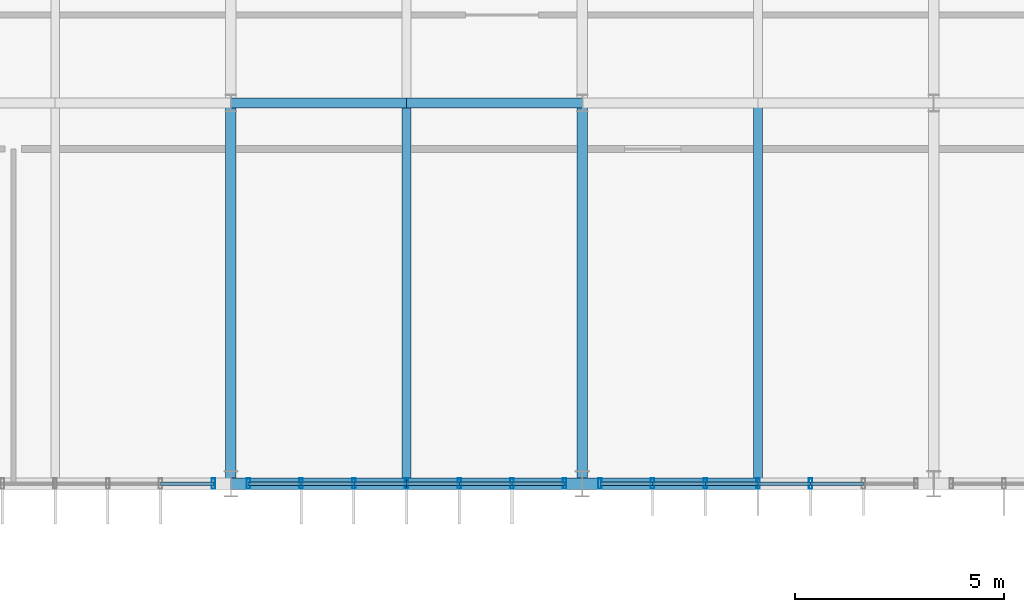
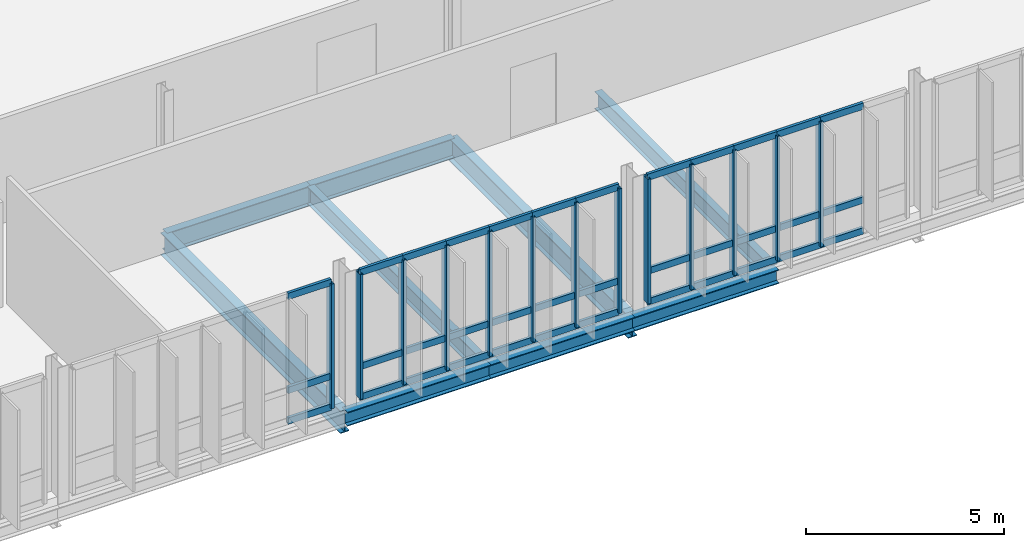
# One storey, part 37 of 107: 49 members, 9 beams, 3 elements without a shape of their own.
"""IFC4 building model written with IfcOpenShell, lengths in metres."""

from ifc_helpers import new_model, si_unit, derived_unit, direction, frame, origin, origin_2d, place, context, subcontext, project, spatial, hollow_rectangle, i_section, extrude, material, layer, layer_set, material_profile, profile_set, type_object, element, aggregate, save


model = new_model("IFC4")

# Units and contexts
model_context = context("Model", 3, precision=1e-05, world=origin(), true_north=direction((0.0, 1.0)))
body_context = subcontext(model_context, "Body", "Model", "MODEL_VIEW")
ifc_project = project(units=[si_unit("LENGTHUNIT", "METRE"), si_unit("AREAUNIT", "SQUARE_METRE"), si_unit("VOLUMEUNIT", "CUBIC_METRE"), si_unit("PLANEANGLEUNIT", "RADIAN"), si_unit("MASSUNIT", "GRAM", prefix="KILO"), derived_unit("THERMALTRANSMITTANCEUNIT", [(si_unit("MASSUNIT", "GRAM", prefix="KILO"), 1), (si_unit("TIMEUNIT", "SECOND"), -3), (si_unit("THERMODYNAMICTEMPERATUREUNIT", "KELVIN"), -1)])], contexts=[model_context])

# Site, building, storey
site_placement = place(None, origin())
site = spatial("IfcSite", under=ifc_project, at=site_placement, CompositionType="ELEMENT")
building_placement = place(site_placement, origin())
building = spatial("IfcBuilding", under=site, at=building_placement, Name="Makaiwela Harbour Ferry Terminal", CompositionType="ELEMENT")
storey_placement = place(building_placement, frame((0.0, 0.0, 9.60009765625)))
storey = spatial("IfcBuildingStorey", under=building, at=storey_placement, Name="L02", CompositionType="ELEMENT", Elevation=9.60009765625)

# Curtain wall, member
ifc_material_1 = material(Name="Marine anodised aluminium 6063-T6", Category="aluminium")
ifc_layer = layer(ifc_material_1, 0.199951171875)
ifc_layer_set = layer_set([ifc_layer], Name="Marine anodised aluminium 6063-T6")
curtain_wall_type = type_object("IfcCurtainWallType", Name="ENV-CW-09", PredefinedType="USERDEFINED", material=ifc_layer_set)
curtain_wall_1_placement = place(storey_placement, origin())
curtain_wall_1 = element("IfcCurtainWall", 1, at=curtain_wall_1_placement, inside=storey, type_object=curtain_wall_type, Name="Unitised Curtain Wall CWA-086", ObjectType="UNITIZED CURTAIN WALL", PredefinedType="USERDEFINED")
ifc_material_profile_1 = material_profile(ifc_material_1, hollow_rectangle(XDim=0.0849609375, YDim=0.25, WallThickness=0.0048828125, at=origin_2d()), Name="CWM-250X85")
ifc_profile_set_1 = profile_set([ifc_material_profile_1], Name="Marine anodised aluminium 6063-T6")
member_type_1 = type_object("IfcMemberType", Name="CW-MUL-250", PredefinedType="MULLION", material=ifc_profile_set_1)
member_1_placement = place(storey_placement, frame((112.97998046875, 49.39990234375, 0.0), z_axis=(0.0, 0.0, 1.0), x_axis=(1.0, 0.0, 0.0)))
member_1 = element("IfcMember", 2, at=member_1_placement, type_object=member_type_1, Name="Curtain Wall Mullion CWA-086-1", PredefinedType="MULLION", context=body_context, shape_type="SweptSolid", body=[
    extrude(hollow_rectangle(XDim=0.0849609375, YDim=0.25, WallThickness=0.0048828125, at=origin_2d()), origin(), (0.0, 0.0, 1.0), 3.849853515625),
])

# Curtain wall, members
curtain_wall_2_placement = place(storey_placement, origin())
curtain_wall_2 = element("IfcCurtainWall", 3, at=curtain_wall_2_placement, inside=storey, type_object=curtain_wall_type, Name="Unitised Curtain Wall CWA-089", ObjectType="UNITIZED CURTAIN WALL", PredefinedType="USERDEFINED")
member_2_placement = place(storey_placement, frame((121.3798828125, 49.39990234375, 0.0), z_axis=(0.0, 0.0, 1.0), x_axis=(1.0, 0.0, 0.0)))
member_2 = element("IfcMember", 4, at=member_2_placement, type_object=member_type_1, Name="Curtain Wall Mullion CWA-089-1", PredefinedType="MULLION", context=body_context, shape_type="SweptSolid", body=[
    extrude(hollow_rectangle(XDim=0.0849609375, YDim=0.25, WallThickness=0.0048828125, at=origin_2d()), origin(), (0.0, 0.0, 1.0), 3.849853515625),
])
member_3_placement = place(storey_placement, frame((120.1201171875, 49.39990234375, 0.0), z_axis=(0.0, 0.0, 1.0), x_axis=(1.0, 0.0, 0.0)))
member_3 = element("IfcMember", 5, at=member_3_placement, type_object=member_type_1, Name="Curtain Wall Mullion CWA-089-2", PredefinedType="MULLION", context=body_context, shape_type="SweptSolid", body=[
    extrude(hollow_rectangle(XDim=0.0849609375, YDim=0.25, WallThickness=0.0048828125, at=origin_2d()), origin(), (0.0, 0.0, 1.0), 3.849853515625),
])
member_4_placement = place(storey_placement, frame((118.860107421875, 49.39990234375, 0.0), z_axis=(0.0, 0.0, 1.0), x_axis=(1.0, 0.0, 0.0)))
member_4 = element("IfcMember", 6, at=member_4_placement, type_object=member_type_1, Name="Curtain Wall Mullion CWA-089-3", PredefinedType="MULLION", context=body_context, shape_type="SweptSolid", body=[
    extrude(hollow_rectangle(XDim=0.0849609375, YDim=0.25, WallThickness=0.0048828125, at=origin_2d()), origin(), (0.0, 0.0, 1.0), 3.849853515625),
])
member_5_placement = place(storey_placement, frame((117.60009765625, 49.39990234375, 0.0), z_axis=(0.0, 0.0, 1.0), x_axis=(1.0, 0.0, 0.0)))
member_5 = element("IfcMember", 7, at=member_5_placement, type_object=member_type_1, Name="Curtain Wall Mullion CWA-089-4", PredefinedType="MULLION", context=body_context, shape_type="SweptSolid", body=[
    extrude(hollow_rectangle(XDim=0.0849609375, YDim=0.25, WallThickness=0.0048828125, at=origin_2d()), origin(), (0.0, 0.0, 1.0), 3.849853515625),
])
member_6_placement = place(storey_placement, frame((116.340087890625, 49.39990234375, 0.0), z_axis=(0.0, 0.0, 1.0), x_axis=(1.0, 0.0, 0.0)))
member_6 = element("IfcMember", 8, at=member_6_placement, type_object=member_type_1, Name="Curtain Wall Mullion CWA-089-5", PredefinedType="MULLION", context=body_context, shape_type="SweptSolid", body=[
    extrude(hollow_rectangle(XDim=0.0849609375, YDim=0.25, WallThickness=0.0048828125, at=origin_2d()), origin(), (0.0, 0.0, 1.0), 3.849853515625),
])
member_7_placement = place(storey_placement, frame((115.080078125, 49.39990234375, 0.0), z_axis=(0.0, 0.0, 1.0), x_axis=(1.0, 0.0, 0.0)))
member_7 = element("IfcMember", 9, at=member_7_placement, type_object=member_type_1, Name="Curtain Wall Mullion CWA-089-6", PredefinedType="MULLION", context=body_context, shape_type="SweptSolid", body=[
    extrude(hollow_rectangle(XDim=0.0849609375, YDim=0.25, WallThickness=0.0048828125, at=origin_2d()), origin(), (0.0, 0.0, 1.0), 3.849853515625),
])
member_8_placement = place(storey_placement, frame((113.820068359375, 49.39990234375, 0.0), z_axis=(0.0, 0.0, 1.0), x_axis=(1.0, 0.0, 0.0)))
member_8 = element("IfcMember", 10, at=member_8_placement, type_object=member_type_1, Name="Curtain Wall Mullion CWA-089-7", PredefinedType="MULLION", context=body_context, shape_type="SweptSolid", body=[
    extrude(hollow_rectangle(XDim=0.0849609375, YDim=0.25, WallThickness=0.0048828125, at=origin_2d()), origin(), (0.0, 0.0, 1.0), 3.849853515625),
])

curtain_wall_3_placement = place(storey_placement, origin())
curtain_wall_3 = element("IfcCurtainWall", 11, at=curtain_wall_3_placement, inside=storey, type_object=curtain_wall_type, Name="Unitised Curtain Wall CWA-093", ObjectType="UNITIZED CURTAIN WALL", PredefinedType="USERDEFINED")
member_9_placement = place(storey_placement, frame((127.260009765625, 49.39990234375, 0.0), z_axis=(0.0, 0.0, 1.0), x_axis=(1.0, 0.0, 0.0)))
member_9 = element("IfcMember", 12, at=member_9_placement, type_object=member_type_1, Name="Curtain Wall Mullion CWA-093-3", PredefinedType="MULLION", context=body_context, shape_type="SweptSolid", body=[
    extrude(hollow_rectangle(XDim=0.0849609375, YDim=0.25, WallThickness=0.0048828125, at=origin_2d()), origin(), (0.0, 0.0, 1.0), 3.849853515625),
])
member_10_placement = place(storey_placement, frame((126.0, 49.39990234375, 0.0), z_axis=(0.0, 0.0, 1.0), x_axis=(1.0, 0.0, 0.0)))
member_10 = element("IfcMember", 13, at=member_10_placement, type_object=member_type_1, Name="Curtain Wall Mullion CWA-093-4", PredefinedType="MULLION", context=body_context, shape_type="SweptSolid", body=[
    extrude(hollow_rectangle(XDim=0.0849609375, YDim=0.25, WallThickness=0.0048828125, at=origin_2d()), origin(), (0.0, 0.0, 1.0), 3.849853515625),
])
member_11_placement = place(storey_placement, frame((124.739990234375, 49.39990234375, 0.0), z_axis=(0.0, 0.0, 1.0), x_axis=(1.0, 0.0, 0.0)))
member_11 = element("IfcMember", 14, at=member_11_placement, type_object=member_type_1, Name="Curtain Wall Mullion CWA-093-5", PredefinedType="MULLION", context=body_context, shape_type="SweptSolid", body=[
    extrude(hollow_rectangle(XDim=0.0849609375, YDim=0.25, WallThickness=0.0048828125, at=origin_2d()), origin(), (0.0, 0.0, 1.0), 3.849853515625),
])
member_12_placement = place(storey_placement, frame((123.47998046875, 49.39990234375, 0.0), z_axis=(0.0, 0.0, 1.0), x_axis=(1.0, 0.0, 0.0)))
member_12 = element("IfcMember", 15, at=member_12_placement, type_object=member_type_1, Name="Curtain Wall Mullion CWA-093-6", PredefinedType="MULLION", context=body_context, shape_type="SweptSolid", body=[
    extrude(hollow_rectangle(XDim=0.0849609375, YDim=0.25, WallThickness=0.0048828125, at=origin_2d()), origin(), (0.0, 0.0, 1.0), 3.849853515625),
])
member_13_placement = place(storey_placement, frame((122.219970703125, 49.39990234375, 0.0), z_axis=(0.0, 0.0, 1.0), x_axis=(1.0, 0.0, 0.0)))
member_13 = element("IfcMember", 16, at=member_13_placement, type_object=member_type_1, Name="Curtain Wall Mullion CWA-093-7", PredefinedType="MULLION", context=body_context, shape_type="SweptSolid", body=[
    extrude(hollow_rectangle(XDim=0.0849609375, YDim=0.25, WallThickness=0.0048828125, at=origin_2d()), origin(), (0.0, 0.0, 1.0), 3.849853515625),
])

# Member
ifc_material_profile_2 = material_profile(ifc_material_1, hollow_rectangle(XDim=0.0849609375, YDim=0.199951171875, WallThickness=0.0048828125, at=origin_2d()), Name="CWT-200X85")
ifc_profile_set_2 = profile_set([ifc_material_profile_2], Name="Marine anodised aluminium 6063-T6")
member_type_2 = type_object("IfcMemberType", Name="CW-TRN-200", PredefinedType="USERDEFINED", material=ifc_profile_set_2)
member_14_placement = place(storey_placement, frame((112.97998046875, 49.39990234375, 0.0), z_axis=(-1.0, 0.0, 0.0), x_axis=(0.0, -1.0, 0.0)))
member_14 = element("IfcMember", 17, at=member_14_placement, type_object=member_type_2, Name="Curtain Wall Transom CWA-086-1-1", ObjectType="TRANSOM", PredefinedType="USERDEFINED", context=body_context, shape_type="SweptSolid", body=[
    extrude(hollow_rectangle(XDim=0.0849609375, YDim=0.199951171875, WallThickness=0.0048828125, at=origin_2d()), origin(), (0.0, 0.0, 1.0), 1.260009765625),
])

member_15_placement = place(storey_placement, frame((112.97998046875, 49.39990234375, 0.949951171875), z_axis=(-1.0, 0.0, 0.0), x_axis=(0.0, -1.0, 0.0)))
member_15 = element("IfcMember", 18, at=member_15_placement, type_object=member_type_2, Name="Curtain Wall Transom CWA-086-1-2", ObjectType="TRANSOM", PredefinedType="USERDEFINED", context=body_context, shape_type="SweptSolid", body=[
    extrude(hollow_rectangle(XDim=0.0849609375, YDim=0.199951171875, WallThickness=0.0048828125, at=origin_2d()), origin(), (0.0, 0.0, 1.0), 1.260009765625),
])

member_16_placement = place(storey_placement, frame((112.97998046875, 49.39990234375, 3.849853515625), z_axis=(-1.0, 0.0, 0.0), x_axis=(0.0, -1.0, 0.0)))
member_16 = element("IfcMember", 19, at=member_16_placement, type_object=member_type_2, Name="Curtain Wall Transom CWA-086-1-3", ObjectType="TRANSOM", PredefinedType="USERDEFINED", context=body_context, shape_type="SweptSolid", body=[
    extrude(hollow_rectangle(XDim=0.0849609375, YDim=0.199951171875, WallThickness=0.0048828125, at=origin_2d()), origin(), (0.0, 0.0, 1.0), 1.260009765625),
])

aggregate(curtain_wall_1, [member_1, member_14, member_15, member_16])

member_17_placement = place(storey_placement, frame((121.3798828125, 49.39990234375, 0.0), z_axis=(-1.0, 0.0, 0.0), x_axis=(0.0, -1.0, 0.0)))
member_17 = element("IfcMember", 20, at=member_17_placement, type_object=member_type_2, Name="Curtain Wall Transom CWA-089-1-1", ObjectType="TRANSOM", PredefinedType="USERDEFINED", context=body_context, shape_type="SweptSolid", body=[
    extrude(hollow_rectangle(XDim=0.0849609375, YDim=0.199951171875, WallThickness=0.0048828125, at=origin_2d()), origin(), (0.0, 0.0, 1.0), 1.259765625),
])

member_18_placement = place(storey_placement, frame((121.3798828125, 49.39990234375, 0.949951171875), z_axis=(-1.0, 0.0, 0.0), x_axis=(0.0, -1.0, 0.0)))
member_18 = element("IfcMember", 21, at=member_18_placement, type_object=member_type_2, Name="Curtain Wall Transom CWA-089-1-2", ObjectType="TRANSOM", PredefinedType="USERDEFINED", context=body_context, shape_type="SweptSolid", body=[
    extrude(hollow_rectangle(XDim=0.0849609375, YDim=0.199951171875, WallThickness=0.0048828125, at=origin_2d()), origin(), (0.0, 0.0, 1.0), 1.259765625),
])

member_19_placement = place(storey_placement, frame((121.3798828125, 49.39990234375, 3.849853515625), z_axis=(-1.0, 0.0, 0.0), x_axis=(0.0, -1.0, 0.0)))
member_19 = element("IfcMember", 22, at=member_19_placement, type_object=member_type_2, Name="Curtain Wall Transom CWA-089-1-3", ObjectType="TRANSOM", PredefinedType="USERDEFINED", context=body_context, shape_type="SweptSolid", body=[
    extrude(hollow_rectangle(XDim=0.0849609375, YDim=0.199951171875, WallThickness=0.0048828125, at=origin_2d()), origin(), (0.0, 0.0, 1.0), 1.259765625),
])

member_20_placement = place(storey_placement, frame((120.1201171875, 49.39990234375, 0.0), z_axis=(-1.0, 0.0, 0.0), x_axis=(0.0, -1.0, 0.0)))
member_20 = element("IfcMember", 23, at=member_20_placement, type_object=member_type_2, Name="Curtain Wall Transom CWA-089-2-1", ObjectType="TRANSOM", PredefinedType="USERDEFINED", context=body_context, shape_type="SweptSolid", body=[
    extrude(hollow_rectangle(XDim=0.0849609375, YDim=0.199951171875, WallThickness=0.0048828125, at=origin_2d()), origin(), (0.0, 0.0, 1.0), 1.260009765625),
])

member_21_placement = place(storey_placement, frame((120.1201171875, 49.39990234375, 0.949951171875), z_axis=(-1.0, 0.0, 0.0), x_axis=(0.0, -1.0, 0.0)))
member_21 = element("IfcMember", 24, at=member_21_placement, type_object=member_type_2, Name="Curtain Wall Transom CWA-089-2-2", ObjectType="TRANSOM", PredefinedType="USERDEFINED", context=body_context, shape_type="SweptSolid", body=[
    extrude(hollow_rectangle(XDim=0.0849609375, YDim=0.199951171875, WallThickness=0.0048828125, at=origin_2d()), origin(), (0.0, 0.0, 1.0), 1.260009765625),
])

member_22_placement = place(storey_placement, frame((120.1201171875, 49.39990234375, 3.849853515625), z_axis=(-1.0, 0.0, 0.0), x_axis=(0.0, -1.0, 0.0)))
member_22 = element("IfcMember", 25, at=member_22_placement, type_object=member_type_2, Name="Curtain Wall Transom CWA-089-2-3", ObjectType="TRANSOM", PredefinedType="USERDEFINED", context=body_context, shape_type="SweptSolid", body=[
    extrude(hollow_rectangle(XDim=0.0849609375, YDim=0.199951171875, WallThickness=0.0048828125, at=origin_2d()), origin(), (0.0, 0.0, 1.0), 1.260009765625),
])

member_23_placement = place(storey_placement, frame((118.860107421875, 49.39990234375, 0.0), z_axis=(-1.0, 0.0, 0.0), x_axis=(0.0, -1.0, 0.0)))
member_23 = element("IfcMember", 26, at=member_23_placement, type_object=member_type_2, Name="Curtain Wall Transom CWA-089-3-1", ObjectType="TRANSOM", PredefinedType="USERDEFINED", context=body_context, shape_type="SweptSolid", body=[
    extrude(hollow_rectangle(XDim=0.0849609375, YDim=0.199951171875, WallThickness=0.0048828125, at=origin_2d()), origin(), (0.0, 0.0, 1.0), 1.260009765625),
])

member_24_placement = place(storey_placement, frame((118.860107421875, 49.39990234375, 0.949951171875), z_axis=(-1.0, 0.0, 0.0), x_axis=(0.0, -1.0, 0.0)))
member_24 = element("IfcMember", 27, at=member_24_placement, type_object=member_type_2, Name="Curtain Wall Transom CWA-089-3-2", ObjectType="TRANSOM", PredefinedType="USERDEFINED", context=body_context, shape_type="SweptSolid", body=[
    extrude(hollow_rectangle(XDim=0.0849609375, YDim=0.199951171875, WallThickness=0.0048828125, at=origin_2d()), origin(), (0.0, 0.0, 1.0), 1.260009765625),
])

member_25_placement = place(storey_placement, frame((118.860107421875, 49.39990234375, 3.849853515625), z_axis=(-1.0, 0.0, 0.0), x_axis=(0.0, -1.0, 0.0)))
member_25 = element("IfcMember", 28, at=member_25_placement, type_object=member_type_2, Name="Curtain Wall Transom CWA-089-3-3", ObjectType="TRANSOM", PredefinedType="USERDEFINED", context=body_context, shape_type="SweptSolid", body=[
    extrude(hollow_rectangle(XDim=0.0849609375, YDim=0.199951171875, WallThickness=0.0048828125, at=origin_2d()), origin(), (0.0, 0.0, 1.0), 1.260009765625),
])

member_26_placement = place(storey_placement, frame((117.60009765625, 49.39990234375, 0.0), z_axis=(-1.0, 0.0, 0.0), x_axis=(0.0, -1.0, 0.0)))
member_26 = element("IfcMember", 29, at=member_26_placement, type_object=member_type_2, Name="Curtain Wall Transom CWA-089-4-1", ObjectType="TRANSOM", PredefinedType="USERDEFINED", context=body_context, shape_type="SweptSolid", body=[
    extrude(hollow_rectangle(XDim=0.0849609375, YDim=0.199951171875, WallThickness=0.0048828125, at=origin_2d()), origin(), (0.0, 0.0, 1.0), 1.260009765625),
])

member_27_placement = place(storey_placement, frame((117.60009765625, 49.39990234375, 0.949951171875), z_axis=(-1.0, 0.0, 0.0), x_axis=(0.0, -1.0, 0.0)))
member_27 = element("IfcMember", 30, at=member_27_placement, type_object=member_type_2, Name="Curtain Wall Transom CWA-089-4-2", ObjectType="TRANSOM", PredefinedType="USERDEFINED", context=body_context, shape_type="SweptSolid", body=[
    extrude(hollow_rectangle(XDim=0.0849609375, YDim=0.199951171875, WallThickness=0.0048828125, at=origin_2d()), origin(), (0.0, 0.0, 1.0), 1.260009765625),
])

member_28_placement = place(storey_placement, frame((117.60009765625, 49.39990234375, 3.849853515625), z_axis=(-1.0, 0.0, 0.0), x_axis=(0.0, -1.0, 0.0)))
member_28 = element("IfcMember", 31, at=member_28_placement, type_object=member_type_2, Name="Curtain Wall Transom CWA-089-4-3", ObjectType="TRANSOM", PredefinedType="USERDEFINED", context=body_context, shape_type="SweptSolid", body=[
    extrude(hollow_rectangle(XDim=0.0849609375, YDim=0.199951171875, WallThickness=0.0048828125, at=origin_2d()), origin(), (0.0, 0.0, 1.0), 1.260009765625),
])

member_29_placement = place(storey_placement, frame((116.340087890625, 49.39990234375, 0.0), z_axis=(-1.0, 0.0, 0.0), x_axis=(0.0, -1.0, 0.0)))
member_29 = element("IfcMember", 32, at=member_29_placement, type_object=member_type_2, Name="Curtain Wall Transom CWA-089-5-1", ObjectType="TRANSOM", PredefinedType="USERDEFINED", context=body_context, shape_type="SweptSolid", body=[
    extrude(hollow_rectangle(XDim=0.0849609375, YDim=0.199951171875, WallThickness=0.0048828125, at=origin_2d()), origin(), (0.0, 0.0, 1.0), 1.260009765625),
])

member_30_placement = place(storey_placement, frame((116.340087890625, 49.39990234375, 0.949951171875), z_axis=(-1.0, 0.0, 0.0), x_axis=(0.0, -1.0, 0.0)))
member_30 = element("IfcMember", 33, at=member_30_placement, type_object=member_type_2, Name="Curtain Wall Transom CWA-089-5-2", ObjectType="TRANSOM", PredefinedType="USERDEFINED", context=body_context, shape_type="SweptSolid", body=[
    extrude(hollow_rectangle(XDim=0.0849609375, YDim=0.199951171875, WallThickness=0.0048828125, at=origin_2d()), origin(), (0.0, 0.0, 1.0), 1.260009765625),
])

member_31_placement = place(storey_placement, frame((116.340087890625, 49.39990234375, 3.849853515625), z_axis=(-1.0, 0.0, 0.0), x_axis=(0.0, -1.0, 0.0)))
member_31 = element("IfcMember", 34, at=member_31_placement, type_object=member_type_2, Name="Curtain Wall Transom CWA-089-5-3", ObjectType="TRANSOM", PredefinedType="USERDEFINED", context=body_context, shape_type="SweptSolid", body=[
    extrude(hollow_rectangle(XDim=0.0849609375, YDim=0.199951171875, WallThickness=0.0048828125, at=origin_2d()), origin(), (0.0, 0.0, 1.0), 1.260009765625),
])

member_32_placement = place(storey_placement, frame((115.080078125, 49.39990234375, 0.0), z_axis=(-1.0, 0.0, 0.0), x_axis=(0.0, -1.0, 0.0)))
member_32 = element("IfcMember", 35, at=member_32_placement, type_object=member_type_2, Name="Curtain Wall Transom CWA-089-6-1", ObjectType="TRANSOM", PredefinedType="USERDEFINED", context=body_context, shape_type="SweptSolid", body=[
    extrude(hollow_rectangle(XDim=0.0849609375, YDim=0.199951171875, WallThickness=0.0048828125, at=origin_2d()), origin(), (0.0, 0.0, 1.0), 1.260009765625),
])

member_33_placement = place(storey_placement, frame((115.080078125, 49.39990234375, 0.949951171875), z_axis=(-1.0, 0.0, 0.0), x_axis=(0.0, -1.0, 0.0)))
member_33 = element("IfcMember", 36, at=member_33_placement, type_object=member_type_2, Name="Curtain Wall Transom CWA-089-6-2", ObjectType="TRANSOM", PredefinedType="USERDEFINED", context=body_context, shape_type="SweptSolid", body=[
    extrude(hollow_rectangle(XDim=0.0849609375, YDim=0.199951171875, WallThickness=0.0048828125, at=origin_2d()), origin(), (0.0, 0.0, 1.0), 1.260009765625),
])

member_34_placement = place(storey_placement, frame((115.080078125, 49.39990234375, 3.849853515625), z_axis=(-1.0, 0.0, 0.0), x_axis=(0.0, -1.0, 0.0)))
member_34 = element("IfcMember", 37, at=member_34_placement, type_object=member_type_2, Name="Curtain Wall Transom CWA-089-6-3", ObjectType="TRANSOM", PredefinedType="USERDEFINED", context=body_context, shape_type="SweptSolid", body=[
    extrude(hollow_rectangle(XDim=0.0849609375, YDim=0.199951171875, WallThickness=0.0048828125, at=origin_2d()), origin(), (0.0, 0.0, 1.0), 1.260009765625),
])

aggregate(curtain_wall_2, [member_2, member_3, member_4, member_5, member_6, member_7, member_8, member_17, member_18, member_19, member_20, member_21, member_22, member_23, member_24, member_25, member_26, member_27, member_28, member_29, member_30, member_31, member_32, member_33, member_34])

member_35_placement = place(storey_placement, frame((128.52001953125, 49.39990234375, 0.0), z_axis=(-1.0, 0.0, 0.0), x_axis=(0.0, -1.0, 0.0)))
member_35 = element("IfcMember", 38, at=member_35_placement, type_object=member_type_2, Name="Curtain Wall Transom CWA-093-2-1", ObjectType="TRANSOM", PredefinedType="USERDEFINED", context=body_context, shape_type="SweptSolid", body=[
    extrude(hollow_rectangle(XDim=0.0849609375, YDim=0.199951171875, WallThickness=0.0048828125, at=origin_2d()), origin(), (0.0, 0.0, 1.0), 1.260009765625),
])

member_36_placement = place(storey_placement, frame((128.52001953125, 49.39990234375, 0.949951171875), z_axis=(-1.0, 0.0, 0.0), x_axis=(0.0, -1.0, 0.0)))
member_36 = element("IfcMember", 39, at=member_36_placement, type_object=member_type_2, Name="Curtain Wall Transom CWA-093-2-2", ObjectType="TRANSOM", PredefinedType="USERDEFINED", context=body_context, shape_type="SweptSolid", body=[
    extrude(hollow_rectangle(XDim=0.0849609375, YDim=0.199951171875, WallThickness=0.0048828125, at=origin_2d()), origin(), (0.0, 0.0, 1.0), 1.260009765625),
])

member_37_placement = place(storey_placement, frame((128.52001953125, 49.39990234375, 3.849853515625), z_axis=(-1.0, 0.0, 0.0), x_axis=(0.0, -1.0, 0.0)))
member_37 = element("IfcMember", 40, at=member_37_placement, type_object=member_type_2, Name="Curtain Wall Transom CWA-093-2-3", ObjectType="TRANSOM", PredefinedType="USERDEFINED", context=body_context, shape_type="SweptSolid", body=[
    extrude(hollow_rectangle(XDim=0.0849609375, YDim=0.199951171875, WallThickness=0.0048828125, at=origin_2d()), origin(), (0.0, 0.0, 1.0), 1.260009765625),
])

member_38_placement = place(storey_placement, frame((127.260009765625, 49.39990234375, 0.0), z_axis=(-1.0, 0.0, 0.0), x_axis=(0.0, -1.0, 0.0)))
member_38 = element("IfcMember", 41, at=member_38_placement, type_object=member_type_2, Name="Curtain Wall Transom CWA-093-3-1", ObjectType="TRANSOM", PredefinedType="USERDEFINED", context=body_context, shape_type="SweptSolid", body=[
    extrude(hollow_rectangle(XDim=0.0849609375, YDim=0.199951171875, WallThickness=0.0048828125, at=origin_2d()), origin(), (0.0, 0.0, 1.0), 1.260009765625),
])

member_39_placement = place(storey_placement, frame((127.260009765625, 49.39990234375, 0.949951171875), z_axis=(-1.0, 0.0, 0.0), x_axis=(0.0, -1.0, 0.0)))
member_39 = element("IfcMember", 42, at=member_39_placement, type_object=member_type_2, Name="Curtain Wall Transom CWA-093-3-2", ObjectType="TRANSOM", PredefinedType="USERDEFINED", context=body_context, shape_type="SweptSolid", body=[
    extrude(hollow_rectangle(XDim=0.0849609375, YDim=0.199951171875, WallThickness=0.0048828125, at=origin_2d()), origin(), (0.0, 0.0, 1.0), 1.260009765625),
])

member_40_placement = place(storey_placement, frame((127.260009765625, 49.39990234375, 3.849853515625), z_axis=(-1.0, 0.0, 0.0), x_axis=(0.0, -1.0, 0.0)))
member_40 = element("IfcMember", 43, at=member_40_placement, type_object=member_type_2, Name="Curtain Wall Transom CWA-093-3-3", ObjectType="TRANSOM", PredefinedType="USERDEFINED", context=body_context, shape_type="SweptSolid", body=[
    extrude(hollow_rectangle(XDim=0.0849609375, YDim=0.199951171875, WallThickness=0.0048828125, at=origin_2d()), origin(), (0.0, 0.0, 1.0), 1.260009765625),
])

member_41_placement = place(storey_placement, frame((126.0, 49.39990234375, 0.0), z_axis=(-1.0, 0.0, 0.0), x_axis=(0.0, -1.0, 0.0)))
member_41 = element("IfcMember", 44, at=member_41_placement, type_object=member_type_2, Name="Curtain Wall Transom CWA-093-4-1", ObjectType="TRANSOM", PredefinedType="USERDEFINED", context=body_context, shape_type="SweptSolid", body=[
    extrude(hollow_rectangle(XDim=0.0849609375, YDim=0.199951171875, WallThickness=0.0048828125, at=origin_2d()), origin(), (0.0, 0.0, 1.0), 1.260009765625),
])

member_42_placement = place(storey_placement, frame((126.0, 49.39990234375, 0.949951171875), z_axis=(-1.0, 0.0, 0.0), x_axis=(0.0, -1.0, 0.0)))
member_42 = element("IfcMember", 45, at=member_42_placement, type_object=member_type_2, Name="Curtain Wall Transom CWA-093-4-2", ObjectType="TRANSOM", PredefinedType="USERDEFINED", context=body_context, shape_type="SweptSolid", body=[
    extrude(hollow_rectangle(XDim=0.0849609375, YDim=0.199951171875, WallThickness=0.0048828125, at=origin_2d()), origin(), (0.0, 0.0, 1.0), 1.260009765625),
])

member_43_placement = place(storey_placement, frame((126.0, 49.39990234375, 3.849853515625), z_axis=(-1.0, 0.0, 0.0), x_axis=(0.0, -1.0, 0.0)))
member_43 = element("IfcMember", 46, at=member_43_placement, type_object=member_type_2, Name="Curtain Wall Transom CWA-093-4-3", ObjectType="TRANSOM", PredefinedType="USERDEFINED", context=body_context, shape_type="SweptSolid", body=[
    extrude(hollow_rectangle(XDim=0.0849609375, YDim=0.199951171875, WallThickness=0.0048828125, at=origin_2d()), origin(), (0.0, 0.0, 1.0), 1.260009765625),
])

member_44_placement = place(storey_placement, frame((124.739990234375, 49.39990234375, 0.0), z_axis=(-1.0, 0.0, 0.0), x_axis=(0.0, -1.0, 0.0)))
member_44 = element("IfcMember", 47, at=member_44_placement, type_object=member_type_2, Name="Curtain Wall Transom CWA-093-5-1", ObjectType="TRANSOM", PredefinedType="USERDEFINED", context=body_context, shape_type="SweptSolid", body=[
    extrude(hollow_rectangle(XDim=0.0849609375, YDim=0.199951171875, WallThickness=0.0048828125, at=origin_2d()), origin(), (0.0, 0.0, 1.0), 1.260009765625),
])

member_45_placement = place(storey_placement, frame((124.739990234375, 49.39990234375, 0.949951171875), z_axis=(-1.0, 0.0, 0.0), x_axis=(0.0, -1.0, 0.0)))
member_45 = element("IfcMember", 48, at=member_45_placement, type_object=member_type_2, Name="Curtain Wall Transom CWA-093-5-2", ObjectType="TRANSOM", PredefinedType="USERDEFINED", context=body_context, shape_type="SweptSolid", body=[
    extrude(hollow_rectangle(XDim=0.0849609375, YDim=0.199951171875, WallThickness=0.0048828125, at=origin_2d()), origin(), (0.0, 0.0, 1.0), 1.260009765625),
])

member_46_placement = place(storey_placement, frame((124.739990234375, 49.39990234375, 3.849853515625), z_axis=(-1.0, 0.0, 0.0), x_axis=(0.0, -1.0, 0.0)))
member_46 = element("IfcMember", 49, at=member_46_placement, type_object=member_type_2, Name="Curtain Wall Transom CWA-093-5-3", ObjectType="TRANSOM", PredefinedType="USERDEFINED", context=body_context, shape_type="SweptSolid", body=[
    extrude(hollow_rectangle(XDim=0.0849609375, YDim=0.199951171875, WallThickness=0.0048828125, at=origin_2d()), origin(), (0.0, 0.0, 1.0), 1.260009765625),
])

member_47_placement = place(storey_placement, frame((123.47998046875, 49.39990234375, 0.0), z_axis=(-1.0, 0.0, 0.0), x_axis=(0.0, -1.0, 0.0)))
member_47 = element("IfcMember", 50, at=member_47_placement, type_object=member_type_2, Name="Curtain Wall Transom CWA-093-6-1", ObjectType="TRANSOM", PredefinedType="USERDEFINED", context=body_context, shape_type="SweptSolid", body=[
    extrude(hollow_rectangle(XDim=0.0849609375, YDim=0.199951171875, WallThickness=0.0048828125, at=origin_2d()), origin(), (0.0, 0.0, 1.0), 1.260009765625),
])

member_48_placement = place(storey_placement, frame((123.47998046875, 49.39990234375, 0.949951171875), z_axis=(-1.0, 0.0, 0.0), x_axis=(0.0, -1.0, 0.0)))
member_48 = element("IfcMember", 51, at=member_48_placement, type_object=member_type_2, Name="Curtain Wall Transom CWA-093-6-2", ObjectType="TRANSOM", PredefinedType="USERDEFINED", context=body_context, shape_type="SweptSolid", body=[
    extrude(hollow_rectangle(XDim=0.0849609375, YDim=0.199951171875, WallThickness=0.0048828125, at=origin_2d()), origin(), (0.0, 0.0, 1.0), 1.260009765625),
])

member_49_placement = place(storey_placement, frame((123.47998046875, 49.39990234375, 3.849853515625), z_axis=(-1.0, 0.0, 0.0), x_axis=(0.0, -1.0, 0.0)))
member_49 = element("IfcMember", 52, at=member_49_placement, type_object=member_type_2, Name="Curtain Wall Transom CWA-093-6-3", ObjectType="TRANSOM", PredefinedType="USERDEFINED", context=body_context, shape_type="SweptSolid", body=[
    extrude(hollow_rectangle(XDim=0.0849609375, YDim=0.199951171875, WallThickness=0.0048828125, at=origin_2d()), origin(), (0.0, 0.0, 1.0), 1.260009765625),
])

aggregate(curtain_wall_3, [member_9, member_10, member_11, member_12, member_13, member_35, member_36, member_37, member_38, member_39, member_40, member_41, member_42, member_43, member_44, member_45, member_46, member_47, member_48, member_49])

# Beams
ifc_material_2 = material(Name="Steel ASTM A992 Grade 50", Category="steel")
ifc_material_profile_3 = material_profile(ifc_material_2, i_section(OverallWidth=0.2099609375, OverallDepth=0.537109375, WebThickness=0.010986328125, FlangeThickness=0.017333984375, at=origin_2d()), Name="W21X68")
ifc_profile_set_3 = profile_set([ifc_material_profile_3], Name="Steel ASTM A992 Grade 50")
beam_type_1 = type_object("IfcBeamType", Name="STR-BM-W21X68", PredefinedType="BEAM", material=ifc_profile_set_3)
for number, where, z_axis, x_axis, name in (
    (53, (117.60009765625, 49.514404296875, -0.528564453125), (0.0, 1.0, 0.0), (-1.0, 0.0, 0.0), "Secondary floor beam 1510"),
    (54, (126.0, 49.514404296875, -0.528564453125), (0.0, 1.0, 0.0), (-1.0, 0.0, 0.0), "Secondary floor beam 1514"),
):
    element("IfcBeam", number, at=place(storey_placement, frame(where, z_axis=z_axis, x_axis=x_axis)), inside=storey, type_object=beam_type_1, Name=name, PredefinedType="BEAM", context=body_context, shape_type="SweptSolid", body=[
        extrude(i_section(OverallWidth=0.2099609375, OverallDepth=0.537109375, WebThickness=0.010986328125, FlangeThickness=0.017333984375, at=origin_2d()), origin(), (0.0, 0.0, 1.0), 8.88916015625),
    ])
ifc_material_profile_4 = material_profile(ifc_material_2, i_section(OverallWidth=0.22900390625, OverallDepth=0.612060546875, WebThickness=0.011962890625, FlangeThickness=0.01953125, at=origin_2d()), Name="W24X84")
ifc_profile_set_4 = profile_set([ifc_material_profile_4], Name="Steel ASTM A992 Grade 50")
beam_type_2 = type_object("IfcBeamType", Name="STR-GRD-W24X84", PredefinedType="USERDEFINED", material=ifc_profile_set_4)
beam_1_placement = place(storey_placement, frame((113.39990234375, 58.5, -0.566162109375), z_axis=(1.0, 0.0, 0.0), x_axis=(0.0, 1.0, 0.0)))
element("IfcBeam", 55, at=beam_1_placement, inside=storey, type_object=beam_type_2, Name="Primary X girder 1301", ObjectType="GIRDER", PredefinedType="USERDEFINED", context=body_context, shape_type="SweptSolid", body=[
    extrude(i_section(OverallWidth=0.22900390625, OverallDepth=0.612060546875, WebThickness=0.011962890625, FlangeThickness=0.01953125, at=origin_2d()), origin(), (0.0, 0.0, 1.0), 4.2001953125),
])
beam_2_placement = place(storey_placement, frame((117.60009765625, 58.5, -0.566162109375), z_axis=(1.0, 0.0, 0.0), x_axis=(0.0, 1.0, 0.0)))
element("IfcBeam", 56, at=beam_2_placement, inside=storey, type_object=beam_type_2, Name="Primary X girder 1302", ObjectType="GIRDER", PredefinedType="USERDEFINED", context=body_context, shape_type="SweptSolid", body=[
    extrude(i_section(OverallWidth=0.22900390625, OverallDepth=0.612060546875, WebThickness=0.011962890625, FlangeThickness=0.01953125, at=origin_2d()), origin(), (0.0, 0.0, 1.0), 4.199951171875),
])
ifc_material_profile_5 = material_profile(ifc_material_2, i_section(OverallWidth=0.256103515625, OverallDepth=0.693115234375, WebThickness=0.014404296875, FlangeThickness=0.023681640625, at=origin_2d()), Name="W27X114")
ifc_profile_set_5 = profile_set([ifc_material_profile_5], Name="Steel ASTM A992 Grade 50")
beam_type_3 = type_object("IfcBeamType", Name="STR-GRD-W27X114", PredefinedType="USERDEFINED", material=ifc_profile_set_5)
for number, where, z_axis, x_axis, name in (
    (57, (113.39990234375, 49.39990234375, -0.606689453125), (0.0, 1.0, 0.0), (-1.0, 0.0, 0.0), "Primary Y girder 1405"),
    (58, (121.800048828125, 49.39990234375, -0.606689453125), (0.0, 1.0, 0.0), (-1.0, 0.0, 0.0), "Primary Y girder 1412"),
):
    element("IfcBeam", number, at=place(storey_placement, frame(where, z_axis=z_axis, x_axis=x_axis)), inside=storey, type_object=beam_type_3, Name=name, ObjectType="GIRDER", PredefinedType="USERDEFINED", context=body_context, shape_type="SweptSolid", body=[
        extrude(i_section(OverallWidth=0.256103515625, OverallDepth=0.693115234375, WebThickness=0.014404296875, FlangeThickness=0.023681640625, at=origin_2d()), origin(), (0.0, 0.0, 1.0), 9.10009765625),
    ])
ifc_material_profile_6 = material_profile(ifc_material_2, i_section(OverallWidth=0.264892578125, OverallDepth=0.430908203125, WebThickness=0.014892578125, FlangeThickness=0.02490234375, at=origin_2d()), Name="W16X100")
ifc_profile_set_6 = profile_set([ifc_material_profile_6], Name="Steel ASTM A992 Grade 50")
beam_type_4 = type_object("IfcBeamType", Name="STR-SPN-W16X100", PredefinedType="SPANDREL", material=ifc_profile_set_6)
beam_3_placement = place(storey_placement, frame((113.39990234375, 49.39990234375, -0.4755859375), z_axis=(1.0, 0.0, 0.0), x_axis=(0.0, 1.0, 0.0)))
element("IfcBeam", 59, at=beam_3_placement, inside=storey, type_object=beam_type_4, Name="Primary X girder 1283", PredefinedType="SPANDREL", context=body_context, shape_type="SweptSolid", body=[
    extrude(i_section(OverallWidth=0.264892578125, OverallDepth=0.430908203125, WebThickness=0.014892578125, FlangeThickness=0.02490234375, at=origin_2d()), origin(), (0.0, 0.0, 1.0), 4.2001953125),
])
for number, where, z_axis, x_axis, name in (
    (60, (117.60009765625, 49.39990234375, -0.4755859375), (1.0, 0.0, 0.0), (0.0, 1.0, 0.0), "Primary X girder 1284"),
    (61, (121.800048828125, 49.39990234375, -0.4755859375), (1.0, 0.0, 0.0), (0.0, 1.0, 0.0), "Primary X girder 1285"),
):
    element("IfcBeam", number, at=place(storey_placement, frame(where, z_axis=z_axis, x_axis=x_axis)), inside=storey, type_object=beam_type_4, Name=name, PredefinedType="SPANDREL", context=body_context, shape_type="SweptSolid", body=[
        extrude(i_section(OverallWidth=0.264892578125, OverallDepth=0.430908203125, WebThickness=0.014892578125, FlangeThickness=0.02490234375, at=origin_2d()), origin(), (0.0, 0.0, 1.0), 4.199951171875),
    ])

save(model, "model.ifc")
